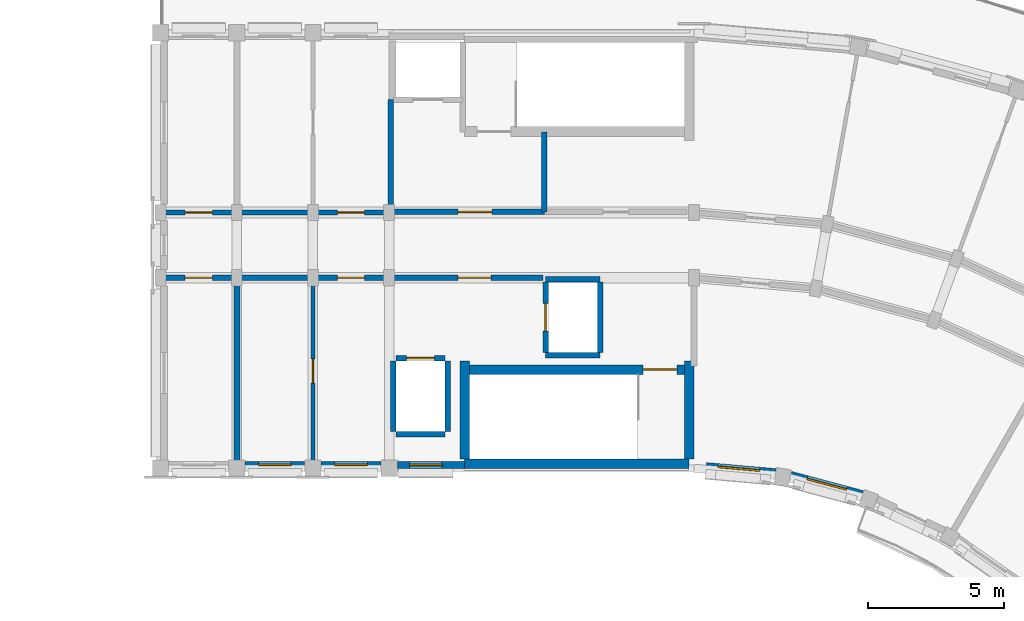
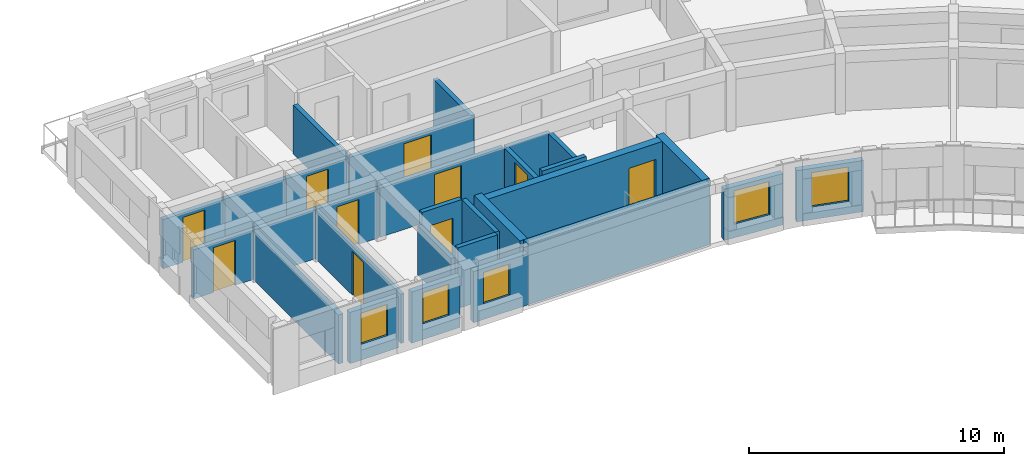
# One storey, part 17 of 32: 29 walls, 10 doors, 5 windows, 15 openings.
"""IFC4 building model written with IfcOpenShell, lengths in metres."""

from ifc_helpers import new_model, si_unit, direction, frame, frame_2d, origin, place, context, subcontext, project, spatial, rectangle, extrude, material, layer, layer_set, type_object, element, fill, save


model = new_model("IFC4")

# Units and contexts
model_context = context("Model", 3, precision=1e-05, world=origin(), true_north=direction((0.0, 1.0)))
body_context = subcontext(model_context, "Body", "Model", "MODEL_VIEW")
ifc_project = project(units=[si_unit("LENGTHUNIT", "METRE"), si_unit("AREAUNIT", "SQUARE_METRE"), si_unit("VOLUMEUNIT", "CUBIC_METRE"), si_unit("PLANEANGLEUNIT", "RADIAN"), si_unit("MASSUNIT", "GRAM", prefix="KILO")], contexts=[model_context])

# Site, building, storey
site_placement = place(None, origin())
site = spatial("IfcSite", under=ifc_project, at=site_placement, CompositionType="ELEMENT")
building_placement = place(site_placement, origin())
building = spatial("IfcBuilding", under=site, at=building_placement, Name="Kiranvali Square Residences", CompositionType="ELEMENT")
storey_placement = place(building_placement, frame((0.0, 0.0, 40.199951171875)))
storey = spatial("IfcBuildingStorey", under=building, at=storey_placement, Name="L12", CompositionType="ELEMENT", Elevation=40.199951171875)

# Wall, opening, door
ifc_material_1 = material(Name="Autoclaved aerated concrete blockwork masonry", Category="masonry")
ifc_layer_1 = layer(ifc_material_1, 0.199951171875)
ifc_layer_set_1 = layer_set([ifc_layer_1], Name="Autoclaved aerated concrete blockwork masonry")
wall_type_1 = type_object("IfcWallType", Name="WL-COR-200", PredefinedType="STANDARD", material=ifc_layer_set_1)
wall_1_placement = place(storey_placement, frame((114.25, 113.60009765625, 0.0), z_axis=(0.0, 0.0, 1.0), x_axis=(-1.0, 0.0, 0.0)))
wall_1 = element("IfcWall", 1, at=wall_1_placement, inside=storey, type_object=wall_type_1, Name="L12 architectural wall WL-L12-B-LL-COR", PredefinedType="STANDARD", context=body_context, shape_type="SweptSolid", body=[
    extrude(rectangle(XDim=5.60009765625, YDim=0.199951171875, at=frame_2d((2.800048828125, 0.0))), origin(), (0.0, 0.0, 1.0), 2.35205078125),
])
opening_1_placement = place(wall_1_placement, frame((1.909912109375, 0.0, 0.0)))
opening_1 = element("IfcOpeningElement", 2, at=opening_1_placement, cuts=wall_1, Name="Opening FD-COR-60", PredefinedType="OPENING", context=body_context, shape_type="SweptSolid", body=[
    extrude(rectangle(XDim=1.219970703125, YDim=2.14990234375, at=frame_2d((0.60986328125, 1.074951171875))), frame((0.0, 0.10986328125, 0.0), z_axis=(0.0, -1.0, 0.0), x_axis=(1.0, 0.0, 0.0)), (0.0, 0.0, 1.0), 0.219970703125),
])
ifc_material_2 = material(Name="Fire-rated acoustic hardwood and mineral-core door assembly", Category="wood")
door_type_1 = type_object("IfcDoorType", Name="DR-FD60-1200", OperationType="NOTDEFINED", PredefinedType="DOOR", material=ifc_material_2)
door_1_placement = place(opening_1_placement, origin())
door_1 = element("IfcDoor", 3, at=door_1_placement, inside=storey, type_object=door_type_1, Name="L12 door DR-L12-1705 (DR-FD60-1200)", OperationType="SINGLE_SWING_LEFT", OverallHeight=2.14990234375, OverallWidth=1.219970703125, PredefinedType="DOOR", context=body_context, shape_type="SweptSolid", body=[
    extrude(rectangle(XDim=1.219970703125, YDim=2.14990234375, at=frame_2d((0.60986328125, 1.074951171875))), frame((0.0, 0.02490234375, 0.0), z_axis=(0.0, -1.0, 0.0), x_axis=(1.0, 0.0, 0.0)), (0.0, 0.0, 1.0), 0.050048828125),
])
fill(opening_1, door_1)

wall_2_placement = place(storey_placement, frame((108.60009765625, 113.60009765625, 0.0), z_axis=(0.0, 0.0, 1.0), x_axis=(-1.0, 0.0, 0.0)))
wall_2 = element("IfcWall", 4, at=wall_2_placement, inside=storey, type_object=wall_type_1, Name="L12 architectural wall WL-L12-B-A1CI-0", PredefinedType="STANDARD", context=body_context, shape_type="SweptSolid", body=[
    extrude(rectangle(XDim=2.800048828125, YDim=0.199951171875, at=frame_2d((1.39990234375, 0.0))), origin(), (0.0, 0.0, 1.0), 2.35205078125),
])
opening_2_placement = place(wall_2_placement, frame((0.89990234375, 0.0, 0.0)))
opening_2 = element("IfcOpeningElement", 5, at=opening_2_placement, cuts=wall_2, Name="Opening FD-APT-60", PredefinedType="OPENING", context=body_context, shape_type="SweptSolid", body=[
    extrude(rectangle(XDim=1.0, YDim=2.14990234375, at=frame_2d((0.5, 1.074951171875))), frame((0.0, 0.10986328125, 0.0), z_axis=(0.0, -1.0, 0.0), x_axis=(1.0, 0.0, 0.0)), (0.0, 0.0, 1.0), 0.219970703125),
])
door_type_2 = type_object("IfcDoorType", Name="DR-APT-1000", OperationType="NOTDEFINED", PredefinedType="DOOR", material=ifc_material_2)
door_2_placement = place(opening_2_placement, frame((1.0, 0.0, 0.0), z_axis=(0.0, 0.0, 1.0), x_axis=(-1.0, 0.0, 0.0)))
door_2 = element("IfcDoor", 6, at=door_2_placement, inside=storey, type_object=door_type_2, Name="L12 door DR-L12-1708 (DR-APT-1000)", OperationType="SINGLE_SWING_RIGHT", OverallHeight=2.14990234375, OverallWidth=1.0, PredefinedType="DOOR", context=body_context, shape_type="SweptSolid", body=[
    extrude(rectangle(XDim=1.0, YDim=2.14990234375, at=frame_2d((0.5, 1.074951171875))), frame((0.0, 0.02490234375, 0.0), z_axis=(0.0, -1.0, 0.0), x_axis=(1.0, 0.0, 0.0)), (0.0, 0.0, 1.0), 0.050048828125),
])
fill(opening_2, door_2)

wall_3_placement = place(storey_placement, frame((108.60009765625, 116.0, 0.0), z_axis=(0.0, 0.0, 1.0), x_axis=(-1.0, 0.0, 0.0)))
wall_3 = element("IfcWall", 7, at=wall_3_placement, inside=storey, type_object=wall_type_1, Name="L12 architectural wall WL-L12-B-A1CO-0", PredefinedType="STANDARD", context=body_context, shape_type="SweptSolid", body=[
    extrude(rectangle(XDim=2.800048828125, YDim=0.199951171875, at=frame_2d((1.39990234375, 0.0))), origin(), (0.0, 0.0, 1.0), 2.35205078125),
])
opening_3_placement = place(wall_3_placement, frame((0.89990234375, 0.0, 0.0)))
opening_3 = element("IfcOpeningElement", 8, at=opening_3_placement, cuts=wall_3, Name="Opening FD-APT-60", PredefinedType="OPENING", context=body_context, shape_type="SweptSolid", body=[
    extrude(rectangle(XDim=1.0, YDim=2.14990234375, at=frame_2d((0.5, 1.074951171875))), frame((0.0, 0.10986328125, 0.0), z_axis=(0.0, -1.0, 0.0), x_axis=(1.0, 0.0, 0.0)), (0.0, 0.0, 1.0), 0.219970703125),
])
door_3_placement = place(opening_3_placement, origin())
door_3 = element("IfcDoor", 9, at=door_3_placement, inside=storey, type_object=door_type_2, Name="L12 door DR-L12-1709 (DR-APT-1000)", OperationType="SINGLE_SWING_LEFT", OverallHeight=2.14990234375, OverallWidth=1.0, PredefinedType="DOOR", context=body_context, shape_type="SweptSolid", body=[
    extrude(rectangle(XDim=1.0, YDim=2.14990234375, at=frame_2d((0.5, 1.074951171875))), frame((0.0, 0.02490234375, 0.0), z_axis=(0.0, -1.0, 0.0), x_axis=(1.0, 0.0, 0.0)), (0.0, 0.0, 1.0), 0.050048828125),
])
fill(opening_3, door_3)

# Walls
for number, where, z_axis, x_axis, name in (
    (10, (105.800048828125, 113.60009765625, 0.0), (0.0, 0.0, 1.0), (-1.0, 0.0, 0.0), "L12 architectural wall WL-L12-B-A1CI-1"),
    (11, (105.800048828125, 116.0, 0.0), (0.0, 0.0, 1.0), (-1.0, 0.0, 0.0), "L12 architectural wall WL-L12-B-A1CO-1"),
):
    element("IfcWall", number, at=place(storey_placement, frame(where, z_axis=z_axis, x_axis=x_axis)), inside=storey, type_object=wall_type_1, Name=name, PredefinedType="STANDARD", context=body_context, shape_type="SweptSolid", body=[
        extrude(rectangle(XDim=2.800048828125, YDim=0.199951171875, at=frame_2d((1.39990234375, 0.0))), origin(), (0.0, 0.0, 1.0), 2.35205078125),
    ])

# Wall, opening, door
wall_4_placement = place(storey_placement, frame((103.0, 113.60009765625, 0.0), z_axis=(0.0, 0.0, 1.0), x_axis=(-1.0, 0.0, 0.0)))
wall_4 = element("IfcWall", 12, at=wall_4_placement, inside=storey, type_object=wall_type_1, Name="L12 architectural wall WL-L12-B-A1CI-2", PredefinedType="STANDARD", context=body_context, shape_type="SweptSolid", body=[
    extrude(rectangle(XDim=2.800048828125, YDim=0.199951171875, at=frame_2d((1.39990234375, 0.0))), origin(), (0.0, 0.0, 1.0), 2.35205078125),
])
opening_4_placement = place(wall_4_placement, frame((0.89990234375, 0.0, 0.0)))
opening_4 = element("IfcOpeningElement", 13, at=opening_4_placement, cuts=wall_4, Name="Opening FD-APT-60", PredefinedType="OPENING", context=body_context, shape_type="SweptSolid", body=[
    extrude(rectangle(XDim=1.0, YDim=2.14990234375, at=frame_2d((0.5, 1.074951171875))), frame((0.0, 0.10986328125, 0.0), z_axis=(0.0, -1.0, 0.0), x_axis=(1.0, 0.0, 0.0)), (0.0, 0.0, 1.0), 0.219970703125),
])
door_4_placement = place(opening_4_placement, frame((1.0, 0.0, 0.0), z_axis=(0.0, 0.0, 1.0), x_axis=(-1.0, 0.0, 0.0)))
door_4 = element("IfcDoor", 14, at=door_4_placement, inside=storey, type_object=door_type_2, Name="L12 door DR-L12-1710 (DR-APT-1000)", OperationType="SINGLE_SWING_RIGHT", OverallHeight=2.14990234375, OverallWidth=1.0, PredefinedType="DOOR", context=body_context, shape_type="SweptSolid", body=[
    extrude(rectangle(XDim=1.0, YDim=2.14990234375, at=frame_2d((0.5, 1.074951171875))), frame((0.0, 0.02490234375, 0.0), z_axis=(0.0, -1.0, 0.0), x_axis=(1.0, 0.0, 0.0)), (0.0, 0.0, 1.0), 0.050048828125),
])
fill(opening_4, door_4)

wall_5_placement = place(storey_placement, frame((103.0, 116.0, 0.0), z_axis=(0.0, 0.0, 1.0), x_axis=(-1.0, 0.0, 0.0)))
wall_5 = element("IfcWall", 15, at=wall_5_placement, inside=storey, type_object=wall_type_1, Name="L12 architectural wall WL-L12-B-A1CO-2", PredefinedType="STANDARD", context=body_context, shape_type="SweptSolid", body=[
    extrude(rectangle(XDim=2.800048828125, YDim=0.199951171875, at=frame_2d((1.39990234375, 0.0))), origin(), (0.0, 0.0, 1.0), 2.35205078125),
])
opening_5_placement = place(wall_5_placement, frame((0.89990234375, 0.0, 0.0)))
opening_5 = element("IfcOpeningElement", 16, at=opening_5_placement, cuts=wall_5, Name="Opening FD-APT-60", PredefinedType="OPENING", context=body_context, shape_type="SweptSolid", body=[
    extrude(rectangle(XDim=1.0, YDim=2.14990234375, at=frame_2d((0.5, 1.074951171875))), frame((0.0, 0.10986328125, 0.0), z_axis=(0.0, -1.0, 0.0), x_axis=(1.0, 0.0, 0.0)), (0.0, 0.0, 1.0), 0.219970703125),
])
door_5_placement = place(opening_5_placement, origin())
door_5 = element("IfcDoor", 17, at=door_5_placement, inside=storey, type_object=door_type_2, Name="L12 door DR-L12-1711 (DR-APT-1000)", OperationType="SINGLE_SWING_LEFT", OverallHeight=2.14990234375, OverallWidth=1.0, PredefinedType="DOOR", context=body_context, shape_type="SweptSolid", body=[
    extrude(rectangle(XDim=1.0, YDim=2.14990234375, at=frame_2d((0.5, 1.074951171875))), frame((0.0, 0.02490234375, 0.0), z_axis=(0.0, -1.0, 0.0), x_axis=(1.0, 0.0, 0.0)), (0.0, 0.0, 1.0), 0.050048828125),
])
fill(opening_5, door_5)

# Wall
ifc_layer_2 = layer(ifc_material_1, 0.219970703125)
ifc_layer_set_2 = layer_set([ifc_layer_2], Name="Autoclaved aerated concrete blockwork masonry")
wall_type_2 = type_object("IfcWallType", Name="WL-DEM-220", PredefinedType="STANDARD", material=ifc_layer_set_2)
wall_6_placement = place(storey_placement, frame((103.0, 106.800048828125, 0.0), z_axis=(0.0, 0.0, 1.0), x_axis=(0.0, 1.0, 0.0)))
element("IfcWall", 18, at=wall_6_placement, inside=storey, type_object=wall_type_2, Name="L12 architectural wall WL-L12-B-A1TI-2", PredefinedType="STANDARD", context=body_context, shape_type="SweptSolid", body=[
    extrude(rectangle(XDim=6.75, YDim=0.219970703125, at=frame_2d((3.375, 0.0))), origin(), (0.0, 0.0, 1.0), 2.35205078125),
])

# Wall, opening, window
ifc_material_3 = material(Name="Breathable lime-rendered clay brick masonry", Category="masonry")
ifc_layer_3 = layer(ifc_material_3, 0.25)
ifc_layer_set_3 = layer_set([ifc_layer_3], Name="Breathable lime-rendered clay brick masonry")
wall_type_3 = type_object("IfcWallType", Name="WL-EXT-250", PredefinedType="STANDARD", material=ifc_layer_set_3)
wall_7_placement = place(storey_placement, frame((120.249267578125, 106.686279296875, 0.0), z_axis=(0.0, 0.0, 1.0), x_axis=(0.996188847542, -0.087222589008, 0.0)))
wall_7 = element("IfcWall", 19, at=wall_7_placement, inside=storey, type_object=wall_type_3, Name="L12 exterior wall B-L12-GDN-00", PredefinedType="STANDARD", context=body_context, shape_type="SweptSolid", body=[
    extrude(rectangle(XDim=2.558349609375, YDim=0.25, at=frame_2d((1.279296875, 0.0))), origin(), (0.0, 0.0, 1.0), 2.4521484375),
])
opening_6_placement = place(wall_7_placement, frame((0.423583984375, 0.0, 0.652099609375)))
opening_6 = element("IfcOpeningElement", 20, at=opening_6_placement, cuts=wall_7, Name="Opening W-18", PredefinedType="OPENING", context=body_context, shape_type="SweptSolid", body=[
    extrude(rectangle(XDim=1.550048828125, YDim=1.60009765625, at=frame_2d((0.77490234375, 0.800048828125))), frame((0.0, 0.135009765625, 0.0), z_axis=(0.0, -1.0, 0.0), x_axis=(1.0, 0.0, 0.0)), (0.0, 0.0, 1.0), 0.27001953125),
])
ifc_material_4 = material(Name="Solar-control low-e double glazing", Category="glass")
window_type_1 = type_object("IfcWindowType", Name="WIN-GDN-1550x1600", PartitioningType="DOUBLE_PANEL_VERTICAL", PredefinedType="WINDOW", material=ifc_material_4)
window_1_placement = place(opening_6_placement, origin())
window_1 = element("IfcWindow", 21, at=window_1_placement, inside=storey, type_object=window_type_1, Name="L12 recessed window B-L12-GDN-00", OverallHeight=1.60009765625, OverallWidth=1.550048828125, PartitioningType="DOUBLE_PANEL_VERTICAL", PredefinedType="WINDOW", context=body_context, shape_type="SweptSolid", body=[
    extrude(rectangle(XDim=1.550048828125, YDim=1.60009765625, at=frame_2d((0.77490234375, 0.800048828125))), frame((0.0, 0.030029296875, 0.0), z_axis=(0.0, -1.0, 0.0), x_axis=(1.0, 0.0, 0.0)), (0.0, 0.0, 1.0), 0.06005859375),
])
fill(opening_6, window_1)

wall_8_placement = place(storey_placement, frame((123.3662109375, 106.363037109375, 0.0), z_axis=(0.0, 0.0, 1.0), x_axis=(0.965928818058, -0.258807879411, 0.0)))
wall_8 = element("IfcWall", 22, at=wall_8_placement, inside=storey, type_object=wall_type_3, Name="L12 exterior wall B-L12-GDN-01", PredefinedType="STANDARD", context=body_context, shape_type="SweptSolid", body=[
    extrude(rectangle(XDim=2.7197265625, YDim=0.25, at=frame_2d((1.35986328125, 0.0))), origin(), (0.0, 0.0, 1.0), 2.4521484375),
])
opening_7_placement = place(wall_8_placement, frame((0.60986328125, 0.0, 0.60205078125)))
opening_7 = element("IfcOpeningElement", 23, at=opening_7_placement, cuts=wall_8, Name="Opening W-05", PredefinedType="OPENING", context=body_context, shape_type="SweptSolid", body=[
    extrude(rectangle(XDim=1.5, YDim=1.64990234375, at=frame_2d((0.75, 0.824951171875))), frame((0.0, 0.135009765625, 0.0), z_axis=(0.0, -1.0, 0.0), x_axis=(1.0, 0.0, 0.0)), (0.0, 0.0, 1.0), 0.27001953125),
])
window_type_2 = type_object("IfcWindowType", Name="WIN-RES-1500x1650", PartitioningType="DOUBLE_PANEL_VERTICAL", PredefinedType="WINDOW", material=ifc_material_4)
window_2_placement = place(opening_7_placement, origin())
window_2 = element("IfcWindow", 24, at=window_2_placement, inside=storey, type_object=window_type_2, Name="L12 recessed window B-L12-GDN-01", OverallHeight=1.64990234375, OverallWidth=1.5, PartitioningType="DOUBLE_PANEL_VERTICAL", PredefinedType="WINDOW", context=body_context, shape_type="SweptSolid", body=[
    extrude(rectangle(XDim=1.5, YDim=1.64990234375, at=frame_2d((0.75, 0.824951171875))), frame((0.0, 0.030029296875, 0.0), z_axis=(0.0, -1.0, 0.0), x_axis=(1.0, 0.0, 0.0)), (0.0, 0.0, 1.0), 0.06005859375),
])
fill(opening_7, window_2)

wall_9_placement = place(storey_placement, frame((111.37158203125, 106.72509765625, 0.0), z_axis=(0.0, 0.0, 1.0), x_axis=(-1.0, 0.0, 0.0)))
wall_9 = element("IfcWall", 25, at=wall_9_placement, inside=storey, type_object=wall_type_3, Name="L12 exterior wall B-L12-A1IN-0", PredefinedType="STANDARD", context=body_context, shape_type="SweptSolid", body=[
    extrude(rectangle(XDim=2.468017578125, YDim=0.25, at=frame_2d((1.23388671875, 0.0))), origin(), (0.0, 0.0, 1.0), 2.4521484375),
])
opening_8_placement = place(wall_9_placement, frame((0.821533203125, 0.0, 0.751953125)))
opening_8 = element("IfcOpeningElement", 26, at=opening_8_placement, cuts=wall_9, Name="Opening W-06", PredefinedType="OPENING", context=body_context, shape_type="SweptSolid", body=[
    extrude(rectangle(XDim=1.199951171875, YDim=1.5, at=frame_2d((0.60009765625, 0.75))), frame((0.0, 0.135009765625, 0.0), z_axis=(0.0, -1.0, 0.0), x_axis=(1.0, 0.0, 0.0)), (0.0, 0.0, 1.0), 0.27001953125),
])
window_type_3 = type_object("IfcWindowType", Name="WIN-RES-1200x1500", PartitioningType="SINGLE_PANEL", PredefinedType="WINDOW", material=ifc_material_4)
window_3_placement = place(opening_8_placement, origin())
window_3 = element("IfcWindow", 27, at=window_3_placement, inside=storey, type_object=window_type_3, Name="L12 recessed window B-L12-A1IN-0", OverallHeight=1.5, OverallWidth=1.199951171875, PartitioningType="SINGLE_PANEL", PredefinedType="WINDOW", context=body_context, shape_type="SweptSolid", body=[
    extrude(rectangle(XDim=1.199951171875, YDim=1.5, at=frame_2d((0.60009765625, 0.75))), frame((0.0, 0.030029296875, 0.0), z_axis=(0.0, -1.0, 0.0), x_axis=(1.0, 0.0, 0.0)), (0.0, 0.0, 1.0), 0.06005859375),
])
fill(opening_8, window_3)

wall_10_placement = place(storey_placement, frame((108.29638671875, 106.72509765625, 0.0), z_axis=(0.0, 0.0, 1.0), x_axis=(-1.0, 0.0, 0.0)))
wall_10 = element("IfcWall", 28, at=wall_10_placement, inside=storey, type_object=wall_type_3, Name="L12 exterior wall B-L12-A1I-0", PredefinedType="STANDARD", context=body_context, shape_type="SweptSolid", body=[
    extrude(rectangle(XDim=2.19287109375, YDim=0.25, at=frame_2d((1.096435546875, 0.0))), origin(), (0.0, 0.0, 1.0), 2.4521484375),
])
opening_9_placement = place(wall_10_placement, frame((0.49658203125, 0.0, 0.751953125)))
opening_9 = element("IfcOpeningElement", 29, at=opening_9_placement, cuts=wall_10, Name="Opening W-06", PredefinedType="OPENING", context=body_context, shape_type="SweptSolid", body=[
    extrude(rectangle(XDim=1.199951171875, YDim=1.5, at=frame_2d((0.60009765625, 0.75))), frame((0.0, 0.135009765625, 0.0), z_axis=(0.0, -1.0, 0.0), x_axis=(1.0, 0.0, 0.0)), (0.0, 0.0, 1.0), 0.27001953125),
])
window_4_placement = place(opening_9_placement, origin())
window_4 = element("IfcWindow", 30, at=window_4_placement, inside=storey, type_object=window_type_3, Name="L12 recessed window B-L12-A1I-0", OverallHeight=1.5, OverallWidth=1.199951171875, PartitioningType="SINGLE_PANEL", PredefinedType="WINDOW", context=body_context, shape_type="SweptSolid", body=[
    extrude(rectangle(XDim=1.199951171875, YDim=1.5, at=frame_2d((0.60009765625, 0.75))), frame((0.0, 0.030029296875, 0.0), z_axis=(0.0, -1.0, 0.0), x_axis=(1.0, 0.0, 0.0)), (0.0, 0.0, 1.0), 0.06005859375),
])
fill(opening_9, window_4)

wall_11_placement = place(storey_placement, frame((105.49658203125, 106.72509765625, 0.0), z_axis=(0.0, 0.0, 1.0), x_axis=(-1.0, 0.0, 0.0)))
wall_11 = element("IfcWall", 31, at=wall_11_placement, inside=storey, type_object=wall_type_3, Name="L12 exterior wall B-L12-A1I-1", PredefinedType="STANDARD", context=body_context, shape_type="SweptSolid", body=[
    extrude(rectangle(XDim=2.193115234375, YDim=0.25, at=frame_2d((1.0966796875, 0.0))), origin(), (0.0, 0.0, 1.0), 2.4521484375),
])
opening_10_placement = place(wall_11_placement, frame((0.49658203125, 0.0, 0.751953125)))
opening_10 = element("IfcOpeningElement", 32, at=opening_10_placement, cuts=wall_11, Name="Opening W-06", PredefinedType="OPENING", context=body_context, shape_type="SweptSolid", body=[
    extrude(rectangle(XDim=1.199951171875, YDim=1.5, at=frame_2d((0.60009765625, 0.75))), frame((0.0, 0.135009765625, 0.0), z_axis=(0.0, -1.0, 0.0), x_axis=(1.0, 0.0, 0.0)), (0.0, 0.0, 1.0), 0.27001953125),
])
window_5_placement = place(opening_10_placement, origin())
window_5 = element("IfcWindow", 33, at=window_5_placement, inside=storey, type_object=window_type_3, Name="L12 recessed window B-L12-A1I-1", OverallHeight=1.5, OverallWidth=1.199951171875, PartitioningType="SINGLE_PANEL", PredefinedType="WINDOW", context=body_context, shape_type="SweptSolid", body=[
    extrude(rectangle(XDim=1.199951171875, YDim=1.5, at=frame_2d((0.60009765625, 0.75))), frame((0.0, 0.030029296875, 0.0), z_axis=(0.0, -1.0, 0.0), x_axis=(1.0, 0.0, 0.0)), (0.0, 0.0, 1.0), 0.06005859375),
])
fill(opening_10, window_5)

# Wall, opening, door
ifc_layer_4 = layer(ifc_material_1, 0.199951171875)
ifc_layer_set_4 = layer_set([ifc_layer_4], Name="Autoclaved aerated concrete blockwork masonry")
wall_type_4 = type_object("IfcWallType", Name="WL-FFL-200", PredefinedType="STANDARD", material=ifc_layer_set_4)
wall_12_placement = place(storey_placement, frame((114.300048828125, 116.02001953125, 0.0), z_axis=(0.0, 0.0, 1.0), x_axis=(-1.0, 0.0, 0.0)))
wall_12 = element("IfcWall", 34, at=wall_12_placement, inside=storey, type_object=wall_type_4, Name="L12 architectural wall WL-L12-B-FF-COR", PredefinedType="STANDARD", context=body_context, shape_type="SweptSolid", body=[
    extrude(rectangle(XDim=5.650146484375, YDim=0.199951171875, at=frame_2d((2.8251953125, 0.0))), origin(), (0.0, 0.0, 1.0), 2.35205078125),
])
opening_11_placement = place(wall_12_placement, frame((1.922607421875, 0.0, 0.0)))
opening_11 = element("IfcOpeningElement", 35, at=opening_11_placement, cuts=wall_12, Name="Opening FD-ST-120", PredefinedType="OPENING", context=body_context, shape_type="SweptSolid", body=[
    extrude(rectangle(XDim=1.239990234375, YDim=2.14990234375, at=frame_2d((0.6201171875, 1.074951171875))), frame((0.0, 0.10986328125, 0.0), z_axis=(0.0, -1.0, 0.0), x_axis=(1.0, 0.0, 0.0)), (0.0, 0.0, 1.0), 0.219970703125),
])
door_type_3 = type_object("IfcDoorType", Name="DR-FD120-1200", OperationType="NOTDEFINED", PredefinedType="DOOR", material=ifc_material_2)
door_6_placement = place(opening_11_placement, origin())
door_6 = element("IfcDoor", 36, at=door_6_placement, inside=storey, type_object=door_type_3, Name="L12 door DR-L12-1697 (DR-FD120-1200)", OperationType="SINGLE_SWING_LEFT", OverallHeight=2.14990234375, OverallWidth=1.239990234375, PredefinedType="DOOR", context=body_context, shape_type="SweptSolid", body=[
    extrude(rectangle(XDim=1.239990234375, YDim=2.14990234375, at=frame_2d((0.6201171875, 1.074951171875))), frame((0.0, 0.02490234375, 0.0), z_axis=(0.0, -1.0, 0.0), x_axis=(1.0, 0.0, 0.0)), (0.0, 0.0, 1.0), 0.050048828125),
])
fill(opening_11, door_6)

# Walls
wall_13_placement = place(storey_placement, frame((114.300048828125, 116.02001953125, 0.0), z_axis=(0.0, 0.0, 1.0), x_axis=(0.0, 1.0, 0.0)))
element("IfcWall", 37, at=wall_13_placement, inside=storey, type_object=wall_type_4, Name="L12 architectural wall WL-L12-B-FF-DIV", PredefinedType="STANDARD", context=body_context, shape_type="SweptSolid", body=[
    extrude(rectangle(XDim=2.929931640625, YDim=0.199951171875, at=frame_2d((1.46484375, 0.0))), origin(), (0.0, 0.0, 1.0), 2.35205078125),
])
wall_14_placement = place(storey_placement, frame((108.64990234375, 116.02001953125, 0.0), z_axis=(0.0, 0.0, 1.0), x_axis=(0.0, 1.0, 0.0)))
element("IfcWall", 38, at=wall_14_placement, inside=storey, type_object=wall_type_4, Name="L12 architectural wall WL-L12-B-FF-END", PredefinedType="STANDARD", context=body_context, shape_type="SweptSolid", body=[
    extrude(rectangle(XDim=4.1298828125, YDim=0.199951171875, at=frame_2d((2.06494140625, 0.0))), origin(), (0.0, 0.0, 1.0), 2.35205078125),
])

# Wall, opening, door
ifc_material_5 = material(Name="Acoustic gypsum board drylined partition", Category="gypsum")
ifc_layer_5 = layer(ifc_material_5, 0.14990234375)
ifc_layer_set_5 = layer_set([ifc_layer_5], Name="Acoustic gypsum board drylined partition")
wall_type_5 = type_object("IfcWallType", Name="WL-PRT-150", PredefinedType="PARTITIONING", material=ifc_layer_set_5)
wall_15_placement = place(storey_placement, frame((105.800048828125, 106.800048828125, 0.0), z_axis=(0.0, 0.0, 1.0), x_axis=(0.0, 1.0, 0.0)))
wall_15 = element("IfcWall", 39, at=wall_15_placement, inside=storey, type_object=wall_type_5, Name="L12 architectural wall WL-L12-B-A1TI-1", PredefinedType="PARTITIONING", context=body_context, shape_type="SweptSolid", body=[
    extrude(rectangle(XDim=6.75, YDim=0.14990234375, at=frame_2d((3.375, 0.0))), origin(), (0.0, 0.0, 1.0), 2.35205078125),
])
opening_12_placement = place(wall_15_placement, frame((2.925048828125, 0.0, 0.0)))
opening_12 = element("IfcOpeningElement", 40, at=opening_12_placement, cuts=wall_15, Name="Opening ID-1", PredefinedType="OPENING", context=body_context, shape_type="SweptSolid", body=[
    extrude(rectangle(XDim=0.89990234375, YDim=2.10009765625, at=frame_2d((0.449951171875, 1.050048828125))), frame((0.0, 0.0849609375, 0.0), z_axis=(0.0, -1.0, 0.0), x_axis=(1.0, 0.0, 0.0)), (0.0, 0.0, 1.0), 0.169921875),
])
ifc_material_6 = material(Name="Solid seasoned teak hardwood joinery", Category="wood")
door_type_4 = type_object("IfcDoorType", Name="DR-INT-900", OperationType="NOTDEFINED", PredefinedType="DOOR", material=ifc_material_6)
door_7_placement = place(opening_12_placement, frame((0.89990234375, 0.0, 0.0), z_axis=(0.0, 0.0, 1.0), x_axis=(-1.0, 0.0, 0.0)))
door_7 = element("IfcDoor", 41, at=door_7_placement, inside=storey, type_object=door_type_4, Name="L12 door DR-L12-1712 (DR-INT-900)", OperationType="SINGLE_SWING_RIGHT", OverallHeight=2.10009765625, OverallWidth=0.89990234375, PredefinedType="DOOR", context=body_context, shape_type="SweptSolid", body=[
    extrude(rectangle(XDim=0.89990234375, YDim=2.10009765625, at=frame_2d((0.449951171875, 1.050048828125))), frame((0.0, 0.02490234375, 0.0), z_axis=(0.0, -1.0, 0.0), x_axis=(1.0, 0.0, 0.0)), (0.0, 0.0, 1.0), 0.050048828125),
])
fill(opening_12, door_7)

# Walls
ifc_layer_6 = layer(ifc_material_1, 0.199951171875)
ifc_layer_set_6 = layer_set([ifc_layer_6], Name="Autoclaved aerated concrete blockwork masonry")
wall_type_6 = type_object("IfcWallType", Name="WL-SHF-200", PredefinedType="STANDARD", material=ifc_layer_set_6)
wall_16_placement = place(storey_placement, frame((110.75, 107.949951171875, 0.0), z_axis=(0.0, 0.0, 1.0), x_axis=(0.0, 1.0, 0.0)))
element("IfcWall", 42, at=wall_16_placement, inside=storey, type_object=wall_type_6, Name="L12 architectural wall WL-L12-B-LP1-S1", PredefinedType="STANDARD", context=body_context, shape_type="SweptSolid", body=[
    extrude(rectangle(XDim=2.60009765625, YDim=0.199951171875, at=frame_2d((1.300048828125, 0.0))), origin(), (0.0, 0.0, 1.0), 2.91015625),
])
wall_17_placement = place(storey_placement, frame((108.75, 107.949951171875, 0.0), z_axis=(0.0, 0.0, 1.0), x_axis=(0.0, 1.0, 0.0)))
element("IfcWall", 43, at=wall_17_placement, inside=storey, type_object=wall_type_6, Name="L12 architectural wall WL-L12-B-LP1-B", PredefinedType="STANDARD", context=body_context, shape_type="SweptSolid", body=[
    extrude(rectangle(XDim=2.60009765625, YDim=0.199951171875, at=frame_2d((1.300048828125, 0.0))), origin(), (0.0, 0.0, 1.0), 2.35205078125),
])
wall_18_placement = place(storey_placement, frame((110.64990234375, 107.85009765625, 0.0), z_axis=(0.0, 0.0, 1.0), x_axis=(-1.0, 0.0, 0.0)))
element("IfcWall", 44, at=wall_18_placement, inside=storey, type_object=wall_type_6, Name="L12 architectural wall WL-L12-B-LP1-S2", PredefinedType="STANDARD", context=body_context, shape_type="SweptSolid", body=[
    extrude(rectangle(XDim=1.7998046875, YDim=0.199951171875, at=frame_2d((0.89990234375, 0.0))), origin(), (0.0, 0.0, 1.0), 2.91015625),
])

# Wall, opening, door
wall_19_placement = place(storey_placement, frame((110.64990234375, 110.64990234375, 0.0), z_axis=(0.0, 0.0, 1.0), x_axis=(-1.0, 0.0, 0.0)))
wall_19 = element("IfcWall", 45, at=wall_19_placement, inside=storey, type_object=wall_type_6, Name="L12 architectural wall WL-L12-B-LP1-F", PredefinedType="STANDARD", context=body_context, shape_type="SweptSolid", body=[
    extrude(rectangle(XDim=1.7998046875, YDim=0.199951171875, at=frame_2d((0.89990234375, 0.0))), origin(), (0.0, 0.0, 1.0), 2.91015625),
])
opening_13_placement = place(wall_19_placement, frame((0.389892578125, 0.0, 0.0)))
opening_13 = element("IfcOpeningElement", 46, at=opening_13_placement, cuts=wall_19, Name="Opening LD-PAX-100", PredefinedType="OPENING", context=body_context, shape_type="SweptSolid", body=[
    extrude(rectangle(XDim=1.02001953125, YDim=2.14990234375, at=frame_2d((0.510009765625, 1.074951171875))), frame((0.0, 0.10986328125, 0.0), z_axis=(0.0, -1.0, 0.0), x_axis=(1.0, 0.0, 0.0)), (0.0, 0.0, 1.0), 0.219970703125),
])
door_type_5 = type_object("IfcDoorType", Name="DR-LIFT-1000", OperationType="SLIDING_TO_RIGHT", PredefinedType="DOOR", material=ifc_material_2)
door_8_placement = place(opening_13_placement, origin())
door_8 = element("IfcDoor", 47, at=door_8_placement, inside=storey, type_object=door_type_5, Name="L12 door DR-L12-1703 (DR-LIFT-1000)", OperationType="SLIDING_TO_RIGHT", OverallHeight=2.14990234375, OverallWidth=1.02001953125, PredefinedType="DOOR", context=body_context, shape_type="SweptSolid", body=[
    extrude(rectangle(XDim=1.02001953125, YDim=2.14990234375, at=frame_2d((0.510009765625, 1.074951171875))), frame((0.0, 0.02490234375, 0.0), z_axis=(0.0, -1.0, 0.0), x_axis=(1.0, 0.0, 0.0)), (0.0, 0.0, 1.0), 0.050048828125),
])
fill(opening_13, door_8)

# Walls
wall_20_placement = place(storey_placement, frame((116.35009765625, 110.75, 0.0), z_axis=(0.0, 0.0, 1.0), x_axis=(-1.0, 0.0, 0.0)))
element("IfcWall", 48, at=wall_20_placement, inside=storey, type_object=wall_type_6, Name="L12 architectural wall WL-L12-B-LP2-S0", PredefinedType="STANDARD", context=body_context, shape_type="SweptSolid", body=[
    extrude(rectangle(XDim=2.0, YDim=0.199951171875, at=frame_2d((1.0, 0.0))), origin(), (0.0, 0.0, 1.0), 2.91015625),
])
wall_21_placement = place(storey_placement, frame((116.35009765625, 113.550048828125, 0.0), z_axis=(0.0, 0.0, 1.0), x_axis=(-1.0, 0.0, 0.0)))
element("IfcWall", 49, at=wall_21_placement, inside=storey, type_object=wall_type_6, Name="L12 architectural wall WL-L12-B-LP2-B", PredefinedType="STANDARD", context=body_context, shape_type="SweptSolid", body=[
    extrude(rectangle(XDim=2.0, YDim=0.199951171875, at=frame_2d((1.0, 0.0))), origin(), (0.0, 0.0, 1.0), 2.35205078125),
])
wall_22_placement = place(storey_placement, frame((116.35009765625, 110.85009765625, 0.0), z_axis=(0.0, 0.0, 1.0), x_axis=(0.0, 1.0, 0.0)))
element("IfcWall", 50, at=wall_22_placement, inside=storey, type_object=wall_type_6, Name="L12 architectural wall WL-L12-B-LP2-S1", PredefinedType="STANDARD", context=body_context, shape_type="SweptSolid", body=[
    extrude(rectangle(XDim=2.599853515625, YDim=0.199951171875, at=frame_2d((1.2998046875, 0.0))), origin(), (0.0, 0.0, 1.0), 2.35205078125),
])

# Wall, opening, door
wall_23_placement = place(storey_placement, frame((114.35009765625, 110.85009765625, 0.0), z_axis=(0.0, 0.0, 1.0), x_axis=(0.0, 1.0, 0.0)))
wall_23 = element("IfcWall", 51, at=wall_23_placement, inside=storey, type_object=wall_type_6, Name="L12 architectural wall WL-L12-B-LP2-F", PredefinedType="STANDARD", context=body_context, shape_type="SweptSolid", body=[
    extrude(rectangle(XDim=2.599853515625, YDim=0.199951171875, at=frame_2d((1.2998046875, 0.0))), origin(), (0.0, 0.0, 1.0), 2.35205078125),
])
opening_14_placement = place(wall_23_placement, frame((0.7900390625, 0.0, 0.0)))
opening_14 = element("IfcOpeningElement", 52, at=opening_14_placement, cuts=wall_23, Name="Opening LD-PAX-100", PredefinedType="OPENING", context=body_context, shape_type="SweptSolid", body=[
    extrude(rectangle(XDim=1.02001953125, YDim=2.14990234375, at=frame_2d((0.510009765625, 1.074951171875))), frame((0.0, 0.10986328125, 0.0), z_axis=(0.0, -1.0, 0.0), x_axis=(1.0, 0.0, 0.0)), (0.0, 0.0, 1.0), 0.219970703125),
])
door_9_placement = place(opening_14_placement, origin())
door_9 = element("IfcDoor", 53, at=door_9_placement, inside=storey, type_object=door_type_5, Name="L12 door DR-L12-1704 (DR-LIFT-1000)", OperationType="SLIDING_TO_RIGHT", OverallHeight=2.14990234375, OverallWidth=1.02001953125, PredefinedType="DOOR", context=body_context, shape_type="SweptSolid", body=[
    extrude(rectangle(XDim=1.02001953125, YDim=2.14990234375, at=frame_2d((0.510009765625, 1.074951171875))), frame((0.0, 0.02490234375, 0.0), z_axis=(0.0, -1.0, 0.0), x_axis=(1.0, 0.0, 0.0)), (0.0, 0.0, 1.0), 0.050048828125),
])
fill(opening_14, door_9)

# Wall
ifc_material_7 = material(Name="Concrete M45 (45 MPa)", Category="concrete")
ifc_layer_7 = layer(ifc_material_7, 0.320068359375)
ifc_layer_set_7 = layer_set([ifc_layer_7], Name="Concrete M45 (45 MPa)")
wall_type_7 = type_object("IfcWallType", Name="WL-SHR-320", PredefinedType="SHEAR", material=ifc_layer_set_7)
wall_24_placement = place(storey_placement, frame((119.625, 106.77490234375, 0.0), z_axis=(0.0, 0.0, 1.0), x_axis=(-1.0, 0.0, 0.0)))
element("IfcWall", 54, at=wall_24_placement, inside=storey, type_object=wall_type_7, Name="Block B core shear wall SW-B2-OUT-L12", PredefinedType="SHEAR", context=body_context, shape_type="SweptSolid", body=[
    extrude(rectangle(XDim=8.25, YDim=0.35009765625, at=frame_2d((4.125, 0.0))), origin(), (0.0, 0.0, 1.0), 2.91015625),
])

# Wall, opening, door
wall_25_placement = place(storey_placement, frame((119.449951171875, 110.22509765625, 0.0), z_axis=(0.0, 0.0, 1.0), x_axis=(-1.0, 0.0, 0.0)))
wall_25 = element("IfcWall", 55, at=wall_25_placement, inside=storey, type_object=wall_type_7, Name="Block B core shear wall SW-B2-IN-L12", PredefinedType="SHEAR", context=body_context, shape_type="SweptSolid", body=[
    extrude(rectangle(XDim=7.89990234375, YDim=0.35009765625, at=frame_2d((3.949951171875, 0.0))), origin(), (0.0, 0.0, 1.0), 2.91015625),
])
opening_15_placement = place(wall_25_placement, frame((0.280029296875, 0.0, 0.0)))
opening_15 = element("IfcOpeningElement", 56, at=opening_15_placement, cuts=wall_25, Name="Opening FD-ST-120", PredefinedType="OPENING", context=body_context, shape_type="SweptSolid", body=[
    extrude(rectangle(XDim=1.239990234375, YDim=2.14990234375, at=frame_2d((0.6201171875, 1.074951171875))), frame((0.0, 0.18505859375, 0.0), z_axis=(0.0, -1.0, 0.0), x_axis=(1.0, 0.0, 0.0)), (0.0, 0.0, 1.0), 0.3701171875),
])
door_10_placement = place(opening_15_placement, origin())
door_10 = element("IfcDoor", 57, at=door_10_placement, inside=storey, type_object=door_type_3, Name="L12 door DR-L12-1701 (DR-FD120-1200)", OperationType="SINGLE_SWING_LEFT", OverallHeight=2.14990234375, OverallWidth=1.239990234375, PredefinedType="DOOR", context=body_context, shape_type="SweptSolid", body=[
    extrude(rectangle(XDim=1.239990234375, YDim=2.14990234375, at=frame_2d((0.6201171875, 1.074951171875))), frame((0.0, 0.02490234375, 0.0), z_axis=(0.0, -1.0, 0.0), x_axis=(1.0, 0.0, 0.0)), (0.0, 0.0, 1.0), 0.050048828125),
])
fill(opening_15, door_10)

# Walls
for number, where, z_axis, x_axis, name in (
    (58, (119.625, 106.949951171875, 0.0), (0.0, 0.0, 1.0), (0.0, 1.0, 0.0), "Block B core shear wall SW-B2-NEAR-L12"),
    (59, (111.375, 106.949951171875, 0.0), (0.0, 0.0, 1.0), (0.0, 1.0, 0.0), "Block B core shear wall SW-B2-FAR-L12"),
):
    element("IfcWall", number, at=place(storey_placement, frame(where, z_axis=z_axis, x_axis=x_axis)), inside=storey, type_object=wall_type_7, Name=name, PredefinedType="SHEAR", context=body_context, shape_type="SweptSolid", body=[
        extrude(rectangle(XDim=3.60009765625, YDim=0.35009765625, at=frame_2d((1.800048828125, 0.0))), origin(), (0.0, 0.0, 1.0), 2.91015625),
    ])

save(model, "model.ifc")
